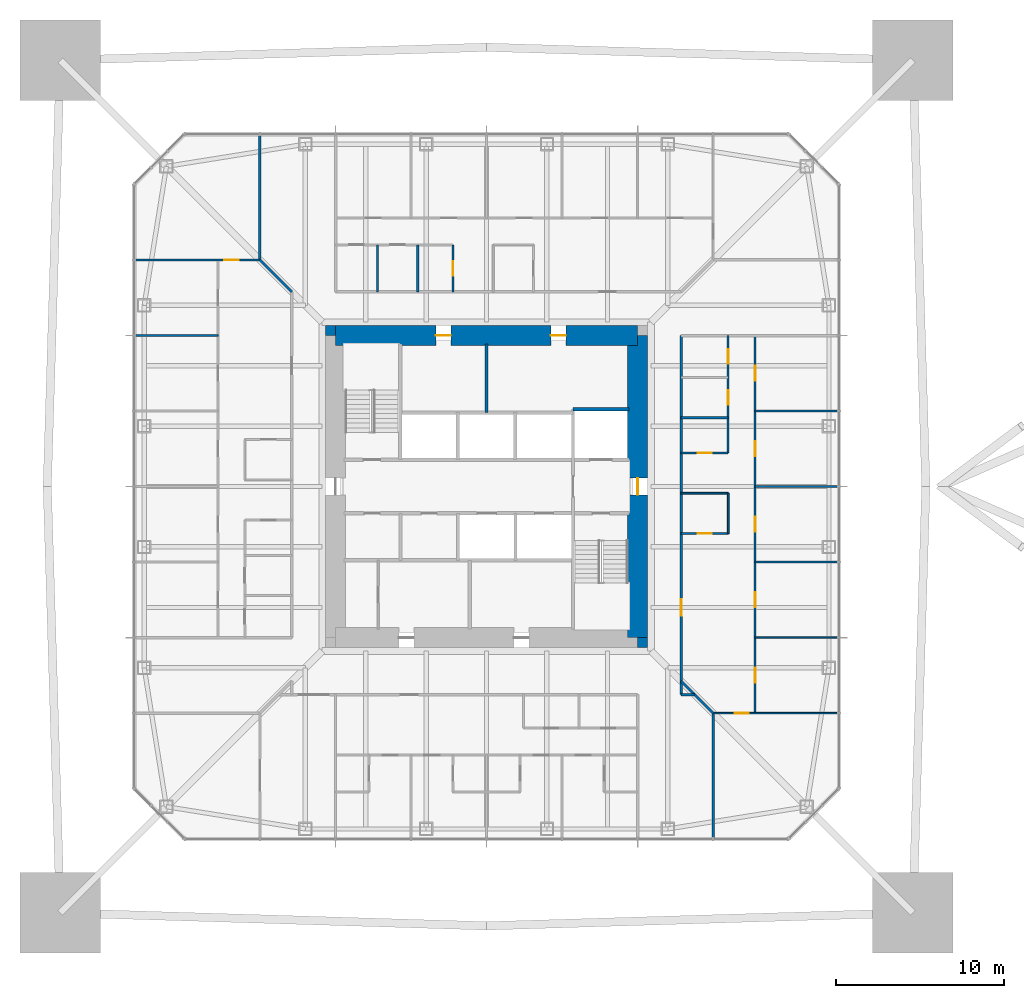
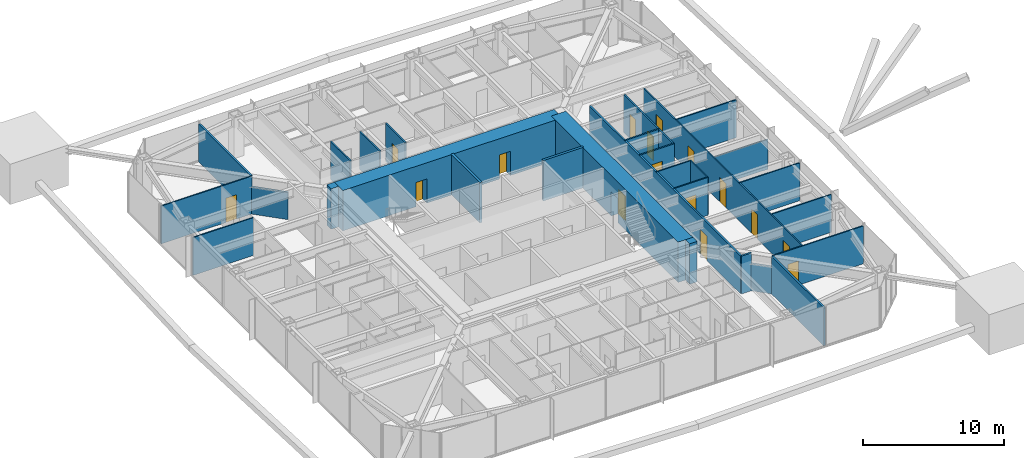
# One storey, part 17 of 27: 29 walls, 16 doors, 16 openings.
"""IFC4 building model written with IfcOpenShell, lengths in metres."""

import ifcopenshell
import ifcopenshell.guid

model = None  # the IFC model being written
_history = None  # IfcOwnerHistory: only IFC2X3 demands one
_inside = {}  # id of a spatial element -> (the spatial element, [elements in it])
_under = {}  # id of a project, library or spatial element -> (it, [spatial elements below it])
_declared = {}  # id of a project -> (the project, [libraries it declares])
_typed = {}  # id of a type object -> (the type object, [elements of that type])
_made_of = {}  # id of a material, layer set ... -> (it, [elements and type objects made of it])


def new_model(schema):
    """Start an empty IFC model of exactly this schema.

    Asked for "IFC4X3", IfcOpenShell would pick the latest addendum, in which some entities
    have other attributes; the version numbers below select the first issue.
    IFC2X3 requires an IfcOwnerHistory on every rooted entity: one is made here for all.
    """
    global model, _history
    if schema == "IFC4X3":
        model = ifcopenshell.file(schema_version=(4, 3, 0, 0))
    else:
        model = ifcopenshell.file(schema=schema)
    _inside.clear()
    _under.clear()
    _declared.clear()
    _typed.clear()
    _made_of.clear()
    _history = None
    if model.schema == "IFC2X3":
        org = make("IfcOrganization", Name="unknown")
        user = make(
            "IfcPersonAndOrganization",
            ThePerson=make("IfcPerson", FamilyName="unknown"),
            TheOrganization=org,
        )
        app = make(
            "IfcApplication",
            ApplicationDeveloper=org,
            Version="unknown",
            ApplicationFullName="unknown",
            ApplicationIdentifier="unknown",
        )
        _history = make(
            "IfcOwnerHistory",
            OwningUser=user,
            OwningApplication=app,
            ChangeAction="ADDED",
            CreationDate=0,
        )
    return model


def make(cls, **values):
    """One entity of the class cls with the attributes given. An attribute that is None is left unset."""
    return model.create_entity(
        cls, **{name: value for name, value in values.items() if value is not None}
    )


def rooted(cls, **values):
    """An entity with a GlobalId (a new one), such as an element, a storey or a relation."""
    return make(cls, GlobalId=ifcopenshell.guid.new(), OwnerHistory=_history, **values)


def si_unit(unit_type, name, prefix=None):
    """IfcSIUnit, for example si_unit("LENGTHUNIT", "METRE", prefix="MILLI")."""
    return make("IfcSIUnit", UnitType=unit_type, Prefix=prefix, Name=name)


def assignment(units):
    """IfcUnitAssignment: the units of a project."""
    return None if units is None else make("IfcUnitAssignment", Units=units)


def point(xyz):
    """IfcCartesianPoint."""
    return None if xyz is None else make("IfcCartesianPoint", Coordinates=xyz)


def direction(xyz):
    """IfcDirection."""
    return None if xyz is None else make("IfcDirection", DirectionRatios=xyz)


def frame(location, z_axis=None, x_axis=None):
    """IfcAxis2Placement3D, a coordinate frame: its origin and axes. An axis left out is left unset."""
    return make(
        "IfcAxis2Placement3D",
        Location=point(location),
        Axis=direction(z_axis),
        RefDirection=direction(x_axis),
    )


def frame_2d(location, x_axis=None):
    """IfcAxis2Placement2D, a coordinate frame in the plane: its origin and x axis."""
    return make(
        "IfcAxis2Placement2D", Location=point(location), RefDirection=direction(x_axis)
    )


def origin():
    """The frame at (0, 0, 0) with its axes left unset."""
    return frame((0.0, 0.0, 0.0))


def place(relative_to, where):
    """IfcLocalPlacement: puts the frame where relative to a parent placement (None: the world)."""
    return make(
        "IfcLocalPlacement", PlacementRelTo=relative_to, RelativePlacement=where
    )


def context(
    kind, dimensions, precision=None, world=None, true_north=None, identifier=None
):
    """IfcGeometricRepresentationContext, for example the 3D "Model" context."""
    return make(
        "IfcGeometricRepresentationContext",
        ContextIdentifier=identifier,
        ContextType=kind,
        CoordinateSpaceDimension=dimensions,
        Precision=precision,
        WorldCoordinateSystem=world,
        TrueNorth=true_north,
    )


def subcontext(parent, identifier, kind, view, scale=None):
    """IfcGeometricRepresentationSubContext, for example "Body" below "Model"."""
    return make(
        "IfcGeometricRepresentationSubContext",
        ContextIdentifier=identifier,
        ContextType=kind,
        ParentContext=parent,
        TargetScale=scale,
        TargetView=view,
    )


def project(units=None, contexts=None):
    """IfcProject with its units and contexts."""
    return rooted(
        "IfcProject",
        Name="project",
        RepresentationContexts=contexts,
        UnitsInContext=assignment(units),
    )


def spatial(cls, under=None, at=None, **own):
    """A site, building, storey or space (cls), placed at a placement, below another one or the project."""
    s = rooted(cls, ObjectPlacement=at, **own)
    if under is not None:
        _under.setdefault(under.id(), (under, []))[1].append(s)
    return s


def profile(cls, at=None, kind="AREA", **sizes):
    """A parametric profile (cls). Its sizes go by their IFC names, for example OverallWidth=200.0."""
    return make(cls, ProfileType=kind, Position=at, **sizes)


def rectangle(**sizes):
    """IfcRectangleProfileDef."""
    return profile("IfcRectangleProfileDef", **sizes)


def extrude(swept, where, along, depth):
    """IfcExtrudedAreaSolid: the profile swept, set in the frame where, extruded along a direction by depth."""
    return make(
        "IfcExtrudedAreaSolid",
        SweptArea=swept,
        Position=where,
        ExtrudedDirection=direction(along),
        Depth=depth,
    )


def shape(context_of_items, identifier, shape_type, items):
    """IfcShapeRepresentation: the items that make up one representation, for example the "Body"."""
    return make(
        "IfcShapeRepresentation",
        ContextOfItems=context_of_items,
        RepresentationIdentifier=identifier,
        RepresentationType=shape_type,
        Items=items,
    )


def material(Name=None, Category=None):
    """IfcMaterial."""
    return make("IfcMaterial", Name=Name, Category=Category)


def layer(
    of_material, thickness, ventilated=None, Name=None, Category=None, Priority=None
):
    """IfcMaterialLayer: one layer of a wall or slab, of a material (None: an air gap)."""
    return make(
        "IfcMaterialLayer",
        Material=of_material,
        LayerThickness=thickness,
        IsVentilated=ventilated,
        Name=Name,
        Category=Category,
        Priority=Priority,
    )


def layer_set(layers, Name=None):
    """IfcMaterialLayerSet."""
    return make("IfcMaterialLayerSet", MaterialLayers=layers, LayerSetName=Name)


def made_of(thing, what):
    """Note that an element or type object is made of a material, layer set ...; save() writes the relation."""
    if what is not None:
        _made_of.setdefault(what.id(), (what, []))[1].append(thing)
    return thing


def type_object(cls, material=None, **own):
    """A type object (cls), such as IfcWallType, which elements share."""
    return made_of(rooted(cls, **own), material)


def element(
    cls,
    number,
    at=None,
    inside=None,
    cuts=None,
    type_object=None,
    material=None,
    context=None,
    identifier="Body",
    shape_type=None,
    held_by="IfcProductDefinitionShape",
    body=None,
    shapes=None,
    **own,
):
    """One element of the class cls, such as IfcWall. Its Tag is "e" and its number.

    at: its placement. inside: the storey or other place that contains it. cuts: it is an
    opening in that element (IfcRelVoidsElement). A single representation is given by context,
    identifier, shape_type and body (its items); several are given by shapes. held_by: the class
    of the entity that holds the representations. save() writes the other relations.
    """
    e = rooted(cls, Tag="e%d" % number, ObjectPlacement=at, **own)
    if body is not None:
        shapes = [shape(context, identifier, shape_type, body)]
    if shapes is not None:
        e.Representation = make(held_by, Representations=shapes)
    if inside is not None:
        _inside.setdefault(inside.id(), (inside, []))[1].append(e)
    if cuts is not None:
        rooted(
            "IfcRelVoidsElement", RelatingBuildingElement=cuts, RelatedOpeningElement=e
        )
    if type_object is not None:
        _typed.setdefault(type_object.id(), (type_object, []))[1].append(e)
    return made_of(e, material)


def fill(opening, filler):
    """IfcRelFillsElement: the door or window that sits in an opening."""
    return rooted(
        "IfcRelFillsElement",
        RelatingOpeningElement=opening,
        RelatedBuildingElement=filler,
    )


def aggregate(whole, parts):
    """IfcRelAggregates: a whole, such as a stair, and the parts it consists of."""
    return rooted("IfcRelAggregates", RelatingObject=whole, RelatedObjects=parts)


def save(model, path):
    """Write the relations noted so far, then the file.

    IfcRelAggregates (storeys below a building ...), IfcRelContainedInSpatialStructure (elements
    in a storey), IfcRelDefinesByType, IfcRelAssociatesMaterial and IfcRelDeclares: one each for
    every whole, place, type object, material and project.
    """
    for whole, parts in _under.values():
        aggregate(whole, parts)
    for where, things in _inside.values():
        rooted(
            "IfcRelContainedInSpatialStructure",
            RelatedElements=things,
            RelatingStructure=where,
        )
    for kind, things in _typed.values():
        rooted("IfcRelDefinesByType", RelatedObjects=things, RelatingType=kind)
    for what, things in _made_of.values():
        rooted("IfcRelAssociatesMaterial", RelatedObjects=things, RelatingMaterial=what)
    for by, libraries in _declared.values():
        rooted("IfcRelDeclares", RelatingContext=by, RelatedDefinitions=libraries)
    model.write(path)


model = new_model("IFC4")

# Units and contexts
model_context = context("Model", 3, precision=1e-05, world=origin(), true_north=direction((0.0, 1.0)))
body_context = subcontext(model_context, "Body", "Model", "MODEL_VIEW")
ifc_project = project(units=[si_unit("LENGTHUNIT", "METRE"), si_unit("AREAUNIT", "SQUARE_METRE"), si_unit("VOLUMEUNIT", "CUBIC_METRE"), si_unit("PLANEANGLEUNIT", "RADIAN"), si_unit("MASSUNIT", "GRAM", prefix="KILO")], contexts=[model_context])

# Site, building, storey
site_placement = place(None, origin())
site = spatial("IfcSite", under=ifc_project, at=site_placement, CompositionType="ELEMENT")
building_placement = place(site_placement, origin())
building = spatial("IfcBuilding", under=site, at=building_placement, Name="Iwan Alto Co-Living Towers", CompositionType="ELEMENT")
storey_placement = place(building_placement, frame((0.0, 0.0, 91.0)))
storey = spatial("IfcBuildingStorey", under=building, at=storey_placement, Name="L24", CompositionType="ELEMENT", Elevation=91.0)

# Walls
ifc_material_1 = material(Name="Gypsum board")
ifc_layer_1 = layer(ifc_material_1, 0.02490234375, Name="Board", Category="Finish")
ifc_material_2 = material(Name="Steel ASTM A1003 ST33H cold-formed studs", Category="steel")
ifc_layer_2 = layer(ifc_material_2, 0.10009765625, Name="Studs", Category="Framing")
ifc_layer_3 = layer(ifc_material_1, 0.02490234375, Name="Board", Category="Finish")
ifc_layer_set_1 = layer_set([ifc_layer_1, ifc_layer_2, ifc_layer_3], Name="CORRIDOR WALL 150")
wall_type_1 = type_object("IfcWallType", Name="CORRIDOR WALL 150", PredefinedType="PARTITIONING", material=ifc_layer_set_1)
wall_1_placement = place(storey_placement, frame((11.60009765625, -12.39990234375, 0.0), z_axis=(0.0, 0.0, 1.0), x_axis=(1.0, 0.0, 0.0)))
element("IfcWall", 1, at=wall_1_placement, inside=storey, type_object=wall_type_1, Name="Partition L24", PredefinedType="PARTITIONING", context=body_context, shape_type="SweptSolid", body=[
    extrude(rectangle(XDim=0.7998046875, YDim=0.14990234375, at=frame_2d((0.39990234375, 0.0))), origin(), (0.0, 0.0, 1.0), 3.27001953125),
])
wall_2_placement = place(storey_placement, frame((13.5, -20.93994140625, 0.0), z_axis=(0.0, 0.0, 1.0), x_axis=(0.0, 1.0, 0.0)))
element("IfcWall", 2, at=wall_2_placement, inside=storey, type_object=wall_type_1, Name="Partition L24", PredefinedType="PARTITIONING", context=body_context, shape_type="SweptSolid", body=[
    extrude(rectangle(XDim=7.43994140625, YDim=0.14990234375, at=frame_2d((3.719970703125, 0.0))), origin(), (0.0, 0.0, 1.0), 3.27001953125),
])

# Wall, opening, door
wall_3_placement = place(storey_placement, frame((11.60009765625, -12.39990234375, 0.0), z_axis=(0.0, 0.0, 1.0), x_axis=(0.0, 1.0, 0.0)))
wall_3 = element("IfcWall", 3, at=wall_3_placement, inside=storey, type_object=wall_type_1, Name="Partition L24", PredefinedType="PARTITIONING", context=body_context, shape_type="SweptSolid", body=[
    extrude(rectangle(XDim=21.39990234375, YDim=0.14990234375, at=frame_2d((10.699951171875, 0.0))), origin(), (0.0, 0.0, 1.0), 3.27001953125),
])
opening_1_placement = place(wall_3_placement, frame((4.699951171875, 0.0, 0.0)))
opening_1 = element("IfcOpeningElement", 4, at=opening_1_placement, cuts=wall_3, Name="Opening D3", PredefinedType="OPENING", context=body_context, shape_type="SweptSolid", body=[
    extrude(rectangle(XDim=1.0, YDim=2.10009765625, at=frame_2d((0.5, 1.050048828125))), frame((0.0, 0.0849609375, 0.0), z_axis=(0.0, -1.0, 0.0), x_axis=(1.0, 0.0, 0.0)), (0.0, 0.0, 1.0), 0.169921875),
])
ifc_material_3 = material(Name="Steel frame with timber leaf", Category="steel")
door_type_1 = type_object("IfcDoorType", Name="FLAT ENTRANCE DOOR FD30S 1000X2100", OperationType="SINGLE_SWING_LEFT", PredefinedType="DOOR", material=ifc_material_3)
door_1_placement = place(opening_1_placement, frame((1.0, 0.0, 0.0), z_axis=(0.0, 0.0, 1.0), x_axis=(-1.0, 0.0, 0.0)))
door_1 = element("IfcDoor", 5, at=door_1_placement, inside=storey, type_object=door_type_1, Name="Cluster lounge door L24", OperationType="SINGLE_SWING_LEFT", OverallHeight=2.10009765625, OverallWidth=1.0, PredefinedType="DOOR", context=body_context, shape_type="SweptSolid", body=[
    extrude(rectangle(XDim=1.0, YDim=2.10009765625, at=frame_2d((0.5, 1.050048828125))), frame((0.0, 0.02490234375, 0.0), z_axis=(0.0, -1.0, 0.0), x_axis=(1.0, 0.0, 0.0)), (0.0, 0.0, 1.0), 0.050048828125),
])
fill(opening_1, door_1)

# Walls
wall_4_placement = place(storey_placement, frame((-13.5, 13.5, 0.0), z_axis=(0.0, 0.0, 1.0), x_axis=(0.0, 1.0, 0.0)))
element("IfcWall", 6, at=wall_4_placement, inside=storey, type_object=wall_type_1, Name="Partition L24", PredefinedType="PARTITIONING", context=body_context, shape_type="SweptSolid", body=[
    extrude(rectangle(XDim=7.43994140625, YDim=0.14990234375, at=frame_2d((3.719970703125, 0.0))), origin(), (0.0, 0.0, 1.0), 3.27001953125),
])
for number, where, z_axis, x_axis, name in (
    (7, (13.5, -13.5, 0.0), (0.0, 0.0, 1.0), (-0.707106781187, 0.707106781187, 0.0), "Partition L24"),
    (8, (-11.60009765625, 11.60009765625, 0.0), (0.0, 0.0, 1.0), (-0.707106781187, 0.707106781187, 0.0), "Partition L24"),
):
    element("IfcWall", number, at=place(storey_placement, frame(where, z_axis=z_axis, x_axis=x_axis)), inside=storey, type_object=wall_type_1, Name=name, PredefinedType="PARTITIONING", context=body_context, shape_type="SweptSolid", body=[
        extrude(rectangle(XDim=2.686767578125, YDim=0.14990234375, at=frame_2d((1.34326171875, 0.0))), origin(), (0.0, 0.0, 1.0), 2.343017578125),
    ])

# Wall, opening, door
ifc_layer_4 = layer(ifc_material_1, 0.012451171875, Name="Board", Category="Finish")
ifc_layer_5 = layer(ifc_material_2, 0.074951171875, Name="Studs", Category="Framing")
ifc_layer_6 = layer(ifc_material_1, 0.012451171875, Name="Board", Category="Finish")
ifc_layer_set_2 = layer_set([ifc_layer_4, ifc_layer_5, ifc_layer_6], Name="PARTITION 100")
wall_type_2 = type_object("IfcWallType", Name="PARTITION 100", PredefinedType="PARTITIONING", material=ifc_layer_set_2)
wall_5_placement = place(storey_placement, frame((13.5, -13.5, 0.0), z_axis=(0.0, 0.0, 1.0), x_axis=(1.0, 0.0, 0.0)))
wall_5 = element("IfcWall", 9, at=wall_5_placement, inside=storey, type_object=wall_type_2, Name="Partition L24", PredefinedType="PARTITIONING", context=body_context, shape_type="SweptSolid", body=[
    extrude(rectangle(XDim=7.43994140625, YDim=0.10009765625, at=frame_2d((3.719970703125, 0.0))), origin(), (0.0, 0.0, 1.0), 3.27001953125),
])
opening_2_placement = place(wall_5_placement, frame((1.27490234375, 0.0, 0.0)))
opening_2 = element("IfcOpeningElement", 10, at=opening_2_placement, cuts=wall_5, Name="Opening D2", PredefinedType="OPENING", context=body_context, shape_type="SweptSolid", body=[
    extrude(rectangle(XDim=0.85009765625, YDim=2.10009765625, at=frame_2d((0.425048828125, 1.050048828125))), frame((0.0, 0.06005859375, 0.0), z_axis=(0.0, -1.0, 0.0), x_axis=(1.0, 0.0, 0.0)), (0.0, 0.0, 1.0), 0.1201171875),
])
ifc_material_4 = material(Name="Timber leaf in steel frame", Category="steel")
door_type_2 = type_object("IfcDoorType", Name="ROOM DOOR 850X2100", OperationType="SINGLE_SWING_LEFT", PredefinedType="DOOR", material=ifc_material_4)
door_2_placement = place(opening_2_placement, origin())
door_2 = element("IfcDoor", 11, at=door_2_placement, inside=storey, type_object=door_type_2, Name="Shared kitchen and lounge door L24", OperationType="SINGLE_SWING_RIGHT", OverallHeight=2.10009765625, OverallWidth=0.85009765625, PredefinedType="DOOR", context=body_context, shape_type="SweptSolid", body=[
    extrude(rectangle(XDim=0.85009765625, YDim=2.10009765625, at=frame_2d((0.425048828125, 1.050048828125))), frame((0.0, 0.02490234375, 0.0), z_axis=(0.0, -1.0, 0.0), x_axis=(1.0, 0.0, 0.0)), (0.0, 0.0, 1.0), 0.050048828125),
])
fill(opening_2, door_2)

# Walls
for number, where, z_axis, x_axis, name in (
    (12, (16.0, -9.0, 0.0), (0.0, 0.0, 1.0), (1.0, 0.0, 0.0), "Partition L24"),
    (13, (16.0, -4.5, 0.0), (0.0, 0.0, 1.0), (1.0, 0.0, 0.0), "Partition L24"),
):
    element("IfcWall", number, at=place(storey_placement, frame(where, z_axis=z_axis, x_axis=x_axis)), inside=storey, type_object=wall_type_2, Name=name, PredefinedType="PARTITIONING", context=body_context, shape_type="SweptSolid", body=[
        extrude(rectangle(XDim=4.93994140625, YDim=0.10009765625, at=frame_2d((2.469970703125, 0.0))), origin(), (0.0, 0.0, 1.0), 3.27001953125),
    ])

# Wall, opening, door
wall_6_placement = place(storey_placement, frame((11.60009765625, -2.800048828125, 0.0), z_axis=(0.0, 0.0, 1.0), x_axis=(1.0, 0.0, 0.0)))
wall_6 = element("IfcWall", 14, at=wall_6_placement, inside=storey, type_object=wall_type_2, Name="Partition L24", PredefinedType="PARTITIONING", context=body_context, shape_type="SweptSolid", body=[
    extrude(rectangle(XDim=2.7998046875, YDim=0.10009765625, at=frame_2d((1.39990234375, 0.0))), origin(), (0.0, 0.0, 1.0), 3.27001953125),
])
opening_3_placement = place(wall_6_placement, frame((0.97509765625, 0.0, 0.0)))
opening_3 = element("IfcOpeningElement", 15, at=opening_3_placement, cuts=wall_6, Name="Opening D2", PredefinedType="OPENING", context=body_context, shape_type="SweptSolid", body=[
    extrude(rectangle(XDim=0.85009765625, YDim=2.10009765625, at=frame_2d((0.425048828125, 1.050048828125))), frame((0.0, 0.06005859375, 0.0), z_axis=(0.0, -1.0, 0.0), x_axis=(1.0, 0.0, 0.0)), (0.0, 0.0, 1.0), 0.1201171875),
])
door_3_placement = place(opening_3_placement, frame((0.85009765625, 0.0, 0.0), z_axis=(0.0, 0.0, 1.0), x_axis=(-1.0, 0.0, 0.0)))
door_3 = element("IfcDoor", 16, at=door_3_placement, inside=storey, type_object=door_type_2, Name="Store room door L24", OperationType="SINGLE_SWING_RIGHT", OverallHeight=2.10009765625, OverallWidth=0.85009765625, PredefinedType="DOOR", context=body_context, shape_type="SweptSolid", body=[
    extrude(rectangle(XDim=0.85009765625, YDim=2.10009765625, at=frame_2d((0.425048828125, 1.050048828125))), frame((0.0, 0.02490234375, 0.0), z_axis=(0.0, -1.0, 0.0), x_axis=(1.0, 0.0, 0.0)), (0.0, 0.0, 1.0), 0.050048828125),
])
fill(opening_3, door_3)

# Walls
wall_7_placement = place(storey_placement, frame((11.60009765625, -0.39990234375, 0.0), z_axis=(0.0, 0.0, 1.0), x_axis=(1.0, 0.0, 0.0)))
element("IfcWall", 17, at=wall_7_placement, inside=storey, type_object=wall_type_2, Name="Partition L24", PredefinedType="PARTITIONING", context=body_context, shape_type="SweptSolid", body=[
    extrude(rectangle(XDim=2.7998046875, YDim=0.10009765625, at=frame_2d((1.39990234375, 0.0))), origin(), (0.0, 0.0, 1.0), 3.27001953125),
])
wall_8_placement = place(storey_placement, frame((16.0, 0.0, 0.0), z_axis=(0.0, 0.0, 1.0), x_axis=(1.0, 0.0, 0.0)))
element("IfcWall", 18, at=wall_8_placement, inside=storey, type_object=wall_type_2, Name="Partition L24", PredefinedType="PARTITIONING", context=body_context, shape_type="SweptSolid", body=[
    extrude(rectangle(XDim=4.93994140625, YDim=0.10009765625, at=frame_2d((2.469970703125, 0.0))), origin(), (0.0, 0.0, 1.0), 2.586669921875),
])
for number, where, z_axis, x_axis, name in (
    (19, (16.0, 4.5, 0.0), (0.0, 0.0, 1.0), (1.0, 0.0, 0.0), "Partition L24"),
    (20, (-20.93994140625, 9.0, 0.0), (0.0, 0.0, 1.0), (1.0, 0.0, 0.0), "Partition L24"),
):
    element("IfcWall", number, at=place(storey_placement, frame(where, z_axis=z_axis, x_axis=x_axis)), inside=storey, type_object=wall_type_2, Name=name, PredefinedType="PARTITIONING", context=body_context, shape_type="SweptSolid", body=[
        extrude(rectangle(XDim=4.93994140625, YDim=0.10009765625, at=frame_2d((2.469970703125, 0.0))), origin(), (0.0, 0.0, 1.0), 3.27001953125),
    ])

# Wall, opening, door
wall_9_placement = place(storey_placement, frame((-20.93994140625, 13.5, 0.0), z_axis=(0.0, 0.0, 1.0), x_axis=(1.0, 0.0, 0.0)))
wall_9 = element("IfcWall", 21, at=wall_9_placement, inside=storey, type_object=wall_type_2, Name="Partition L24", PredefinedType="PARTITIONING", context=body_context, shape_type="SweptSolid", body=[
    extrude(rectangle(XDim=7.43994140625, YDim=0.10009765625, at=frame_2d((3.719970703125, 0.0))), origin(), (0.0, 0.0, 1.0), 3.27001953125),
])
opening_4_placement = place(wall_9_placement, frame((5.31494140625, 0.0, 0.0)))
opening_4 = element("IfcOpeningElement", 22, at=opening_4_placement, cuts=wall_9, Name="Opening D2", PredefinedType="OPENING", context=body_context, shape_type="SweptSolid", body=[
    extrude(rectangle(XDim=0.85009765625, YDim=2.10009765625, at=frame_2d((0.425048828125, 1.050048828125))), frame((0.0, 0.06005859375, 0.0), z_axis=(0.0, -1.0, 0.0), x_axis=(1.0, 0.0, 0.0)), (0.0, 0.0, 1.0), 0.1201171875),
])
door_4_placement = place(opening_4_placement, frame((0.85009765625, 0.0, 0.0), z_axis=(0.0, 0.0, 1.0), x_axis=(-1.0, 0.0, 0.0)))
door_4 = element("IfcDoor", 23, at=door_4_placement, inside=storey, type_object=door_type_2, Name="Shared kitchen and lounge door L24", OperationType="SINGLE_SWING_RIGHT", OverallHeight=2.10009765625, OverallWidth=0.85009765625, PredefinedType="DOOR", context=body_context, shape_type="SweptSolid", body=[
    extrude(rectangle(XDim=0.85009765625, YDim=2.10009765625, at=frame_2d((0.425048828125, 1.050048828125))), frame((0.0, 0.02490234375, 0.0), z_axis=(0.0, -1.0, 0.0), x_axis=(1.0, 0.0, 0.0)), (0.0, 0.0, 1.0), 0.050048828125),
])
fill(opening_4, door_4)

# Wall, openings, doors
wall_10_placement = place(storey_placement, frame((16.0, -13.5, 0.0), z_axis=(0.0, 0.0, 1.0), x_axis=(0.0, 1.0, 0.0)))
wall_10 = element("IfcWall", 24, at=wall_10_placement, inside=storey, type_object=wall_type_2, Name="Partition L24", PredefinedType="PARTITIONING", context=body_context, shape_type="SweptSolid", body=[
    extrude(rectangle(XDim=22.5, YDim=0.10009765625, at=frame_2d((11.25, 0.0))), origin(), (0.0, 0.0, 1.0), 3.27001953125),
])
opening_5_placement = place(wall_10_placement, frame((1.800048828125, 0.0, 0.0)))
opening_5 = element("IfcOpeningElement", 25, at=opening_5_placement, cuts=wall_10, Name="Opening D1", PredefinedType="OPENING", context=body_context, shape_type="SweptSolid", body=[
    extrude(rectangle(XDim=0.89990234375, YDim=2.10009765625, at=frame_2d((0.449951171875, 1.050048828125))), frame((0.0, 0.06005859375, 0.0), z_axis=(0.0, -1.0, 0.0), x_axis=(1.0, 0.0, 0.0)), (0.0, 0.0, 1.0), 0.1201171875),
])
opening_6_placement = place(wall_10_placement, frame((6.300048828125, 0.0, 0.0)))
opening_6 = element("IfcOpeningElement", 26, at=opening_6_placement, cuts=wall_10, Name="Opening D1", PredefinedType="OPENING", context=body_context, shape_type="SweptSolid", body=[
    extrude(rectangle(XDim=0.89990234375, YDim=2.10009765625, at=frame_2d((0.449951171875, 1.050048828125))), frame((0.0, 0.06005859375, 0.0), z_axis=(0.0, -1.0, 0.0), x_axis=(1.0, 0.0, 0.0)), (0.0, 0.0, 1.0), 0.1201171875),
])
opening_7_placement = place(wall_10_placement, frame((10.800048828125, 0.0, 0.0)))
opening_7 = element("IfcOpeningElement", 27, at=opening_7_placement, cuts=wall_10, Name="Opening D1", PredefinedType="OPENING", context=body_context, shape_type="SweptSolid", body=[
    extrude(rectangle(XDim=0.89990234375, YDim=2.10009765625, at=frame_2d((0.449951171875, 1.050048828125))), frame((0.0, 0.06005859375, 0.0), z_axis=(0.0, -1.0, 0.0), x_axis=(1.0, 0.0, 0.0)), (0.0, 0.0, 1.0), 0.1201171875),
])
opening_8_placement = place(wall_10_placement, frame((15.300048828125, 0.0, 0.0)))
opening_8 = element("IfcOpeningElement", 28, at=opening_8_placement, cuts=wall_10, Name="Opening D1", PredefinedType="OPENING", context=body_context, shape_type="SweptSolid", body=[
    extrude(rectangle(XDim=0.89990234375, YDim=2.10009765625, at=frame_2d((0.449951171875, 1.050048828125))), frame((0.0, 0.06005859375, 0.0), z_axis=(0.0, -1.0, 0.0), x_axis=(1.0, 0.0, 0.0)), (0.0, 0.0, 1.0), 0.1201171875),
])
opening_9_placement = place(wall_10_placement, frame((19.800048828125, 0.0, 0.0)))
opening_9 = element("IfcOpeningElement", 29, at=opening_9_placement, cuts=wall_10, Name="Opening D1", PredefinedType="OPENING", context=body_context, shape_type="SweptSolid", body=[
    extrude(rectangle(XDim=0.89990234375, YDim=2.10009765625, at=frame_2d((0.449951171875, 1.050048828125))), frame((0.0, 0.06005859375, 0.0), z_axis=(0.0, -1.0, 0.0), x_axis=(1.0, 0.0, 0.0)), (0.0, 0.0, 1.0), 0.1201171875),
])
ifc_material_5 = material(Name="Timber leaf in steel frame", Category="steel")
door_type_3 = type_object("IfcDoorType", Name="BEDROOM DOOR 900X2100", OperationType="SINGLE_SWING_LEFT", PredefinedType="DOOR", material=ifc_material_5)
door_5_placement = place(opening_5_placement, origin())
door_5 = element("IfcDoor", 30, at=door_5_placement, inside=storey, type_object=door_type_3, Name="Study bedroom door L24", OperationType="SINGLE_SWING_LEFT", OverallHeight=2.10009765625, OverallWidth=0.89990234375, PredefinedType="DOOR", context=body_context, shape_type="SweptSolid", body=[
    extrude(rectangle(XDim=0.89990234375, YDim=2.10009765625, at=frame_2d((0.449951171875, 1.050048828125))), frame((0.0, 0.02490234375, 0.0), z_axis=(0.0, -1.0, 0.0), x_axis=(1.0, 0.0, 0.0)), (0.0, 0.0, 1.0), 0.050048828125),
])
fill(opening_5, door_5)
door_6_placement = place(opening_6_placement, origin())
door_6 = element("IfcDoor", 31, at=door_6_placement, inside=storey, type_object=door_type_3, Name="Study bedroom door L24", OperationType="SINGLE_SWING_LEFT", OverallHeight=2.10009765625, OverallWidth=0.89990234375, PredefinedType="DOOR", context=body_context, shape_type="SweptSolid", body=[
    extrude(rectangle(XDim=0.89990234375, YDim=2.10009765625, at=frame_2d((0.449951171875, 1.050048828125))), frame((0.0, 0.02490234375, 0.0), z_axis=(0.0, -1.0, 0.0), x_axis=(1.0, 0.0, 0.0)), (0.0, 0.0, 1.0), 0.050048828125),
])
fill(opening_6, door_6)
door_7_placement = place(opening_7_placement, origin())
door_7 = element("IfcDoor", 32, at=door_7_placement, inside=storey, type_object=door_type_3, Name="Study bedroom door L24", OperationType="SINGLE_SWING_LEFT", OverallHeight=2.10009765625, OverallWidth=0.89990234375, PredefinedType="DOOR", context=body_context, shape_type="SweptSolid", body=[
    extrude(rectangle(XDim=0.89990234375, YDim=2.10009765625, at=frame_2d((0.449951171875, 1.050048828125))), frame((0.0, 0.02490234375, 0.0), z_axis=(0.0, -1.0, 0.0), x_axis=(1.0, 0.0, 0.0)), (0.0, 0.0, 1.0), 0.050048828125),
])
fill(opening_7, door_7)
door_8_placement = place(opening_8_placement, origin())
door_8 = element("IfcDoor", 33, at=door_8_placement, inside=storey, type_object=door_type_3, Name="Study bedroom door L24", OperationType="SINGLE_SWING_RIGHT", OverallHeight=2.10009765625, OverallWidth=0.89990234375, PredefinedType="DOOR", context=body_context, shape_type="SweptSolid", body=[
    extrude(rectangle(XDim=0.89990234375, YDim=2.10009765625, at=frame_2d((0.449951171875, 1.050048828125))), frame((0.0, 0.02490234375, 0.0), z_axis=(0.0, -1.0, 0.0), x_axis=(1.0, 0.0, 0.0)), (0.0, 0.0, 1.0), 0.050048828125),
])
fill(opening_8, door_8)
door_9_placement = place(opening_9_placement, origin())
door_9 = element("IfcDoor", 34, at=door_9_placement, inside=storey, type_object=door_type_3, Name="Study bedroom door L24", OperationType="SINGLE_SWING_RIGHT", OverallHeight=2.10009765625, OverallWidth=0.89990234375, PredefinedType="DOOR", context=body_context, shape_type="SweptSolid", body=[
    extrude(rectangle(XDim=0.89990234375, YDim=2.10009765625, at=frame_2d((0.449951171875, 1.050048828125))), frame((0.0, 0.02490234375, 0.0), z_axis=(0.0, -1.0, 0.0), x_axis=(1.0, 0.0, 0.0)), (0.0, 0.0, 1.0), 0.050048828125),
])
fill(opening_9, door_9)

# Walls
wall_11_placement = place(storey_placement, frame((14.39990234375, -2.800048828125, 0.0), z_axis=(0.0, 0.0, 1.0), x_axis=(0.0, 1.0, 0.0)))
element("IfcWall", 35, at=wall_11_placement, inside=storey, type_object=wall_type_2, Name="Partition L24", PredefinedType="PARTITIONING", context=body_context, shape_type="SweptSolid", body=[
    extrude(rectangle(XDim=2.400146484375, YDim=0.10009765625, at=frame_2d((1.2001953125, 0.0))), origin(), (0.0, 0.0, 1.0), 3.27001953125),
])
ifc_material_6 = material(Name="Concrete f'c 70 MPa", Category="concrete")
ifc_layer_7 = layer(ifc_material_6, 0.199951171875)
ifc_layer_set_3 = layer_set([ifc_layer_7], Name="SHAFT WALL 200")
wall_type_3 = type_object("IfcWallType", Name="SHAFT WALL 200", PredefinedType="SOLIDWALL", material=ifc_layer_set_3)
wall_12_placement = place(storey_placement, frame((5.14990234375, 4.60009765625, 0.0), z_axis=(0.0, 0.0, 1.0), x_axis=(1.0, 0.0, 0.0)))
element("IfcWall", 36, at=wall_12_placement, inside=storey, type_object=wall_type_3, Name="Shaft wall L24", PredefinedType="SOLIDWALL", context=body_context, shape_type="SweptSolid", body=[
    extrude(rectangle(XDim=3.340087890625, YDim=0.199951171875, at=frame_2d((1.669921875, 0.0))), origin(), (0.0, 0.0, 1.0), 3.5),
])
wall_13_placement = place(storey_placement, frame((0.0, 4.39990234375, 0.0), z_axis=(0.0, 0.0, 1.0), x_axis=(0.0, 1.0, 0.0)))
element("IfcWall", 37, at=wall_13_placement, inside=storey, type_object=wall_type_3, Name="Shaft wall L24", PredefinedType="SOLIDWALL", context=body_context, shape_type="SweptSolid", body=[
    extrude(rectangle(XDim=4.090087890625, YDim=0.199951171875, at=frame_2d((2.044921875, 0.0))), origin(), (0.0, 0.0, 1.0), 3.5),
])
ifc_material_7 = material(Name="Concrete f'c 70 MPa", Category="concrete")
ifc_layer_8 = layer(ifc_material_7, 0.60009765625)
ifc_layer_set_4 = layer_set([ifc_layer_8], Name="T1 CORE CORNER FILL 600")
wall_type_4 = type_object("IfcWallType", Name="T1 CORE CORNER FILL 600", PredefinedType="SOLIDWALL", material=ifc_layer_set_4)
for number, where, z_axis, x_axis, name in (
    (38, (9.0, -9.300048828125, 0.0), (0.0, 0.0, 1.0), (1.0, 0.0, 0.0), "T1 core corner SE L24"),
    (39, (-9.60009765625, 9.300048828125, 0.0), (0.0, 0.0, 1.0), (1.0, 0.0, 0.0), "T1 core corner NW L24"),
):
    element("IfcWall", number, at=place(storey_placement, frame(where, z_axis=z_axis, x_axis=x_axis)), inside=storey, type_object=wall_type_4, Name=name, PredefinedType="SOLIDWALL", context=body_context, shape_type="SweptSolid", body=[
        extrude(rectangle(XDim=0.60009765625, YDim=0.60009765625, at=frame_2d((0.300048828125, 0.0))), origin(), (0.0, 0.0, 1.0), 3.5),
    ])

# Wall, openings, doors
ifc_material_8 = material(Name="Concrete f'c 70 MPa", Category="concrete")
ifc_layer_9 = layer(ifc_material_8, 1.199951171875)
ifc_layer_set_5 = layer_set([ifc_layer_9], Name="T1 CORE WALL 1200")
wall_type_5 = type_object("IfcWallType", Name="T1 CORE WALL 1200", PredefinedType="SHEAR", material=ifc_layer_set_5)
wall_14_placement = place(storey_placement, frame((9.0, 9.0, 0.0), z_axis=(0.0, 0.0, 1.0), x_axis=(-1.0, 0.0, 0.0)))
wall_14 = element("IfcWall", 40, at=wall_14_placement, inside=storey, type_object=wall_type_5, Name="T1 core wall N L24", PredefinedType="SHEAR", context=body_context, shape_type="SweptSolid", body=[
    extrude(rectangle(XDim=18.0, YDim=1.199951171875, at=frame_2d((9.0, 0.0))), origin(), (0.0, 0.0, 1.0), 3.5),
])
opening_10_placement = place(wall_14_placement, frame((11.125, 0.0, 0.0)))
opening_10 = element("IfcOpeningElement", 41, at=opening_10_placement, cuts=wall_14, Name="Opening D8", PredefinedType="OPENING", context=body_context, shape_type="SweptSolid", body=[
    extrude(rectangle(XDim=0.89990234375, YDim=2.10009765625, at=frame_2d((0.449951171875, 1.050048828125))), frame((0.0, 0.60986328125, 0.0), z_axis=(0.0, -1.0, 0.0), x_axis=(1.0, 0.0, 0.0)), (0.0, 0.0, 1.0), 1.219970703125),
])
opening_11_placement = place(wall_14_placement, frame((4.27490234375, 0.0, 0.0)))
opening_11 = element("IfcOpeningElement", 42, at=opening_11_placement, cuts=wall_14, Name="Opening D8", PredefinedType="OPENING", context=body_context, shape_type="SweptSolid", body=[
    extrude(rectangle(XDim=0.89990234375, YDim=2.10009765625, at=frame_2d((0.449951171875, 1.050048828125))), frame((0.0, 0.60986328125, 0.0), z_axis=(0.0, -1.0, 0.0), x_axis=(1.0, 0.0, 0.0)), (0.0, 0.0, 1.0), 1.219970703125),
])
ifc_material_9 = material(Name="Steel frame with timber leaf", Category="steel")
door_type_4 = type_object("IfcDoorType", Name="RISER DOOR FD120 900X2100", OperationType="SINGLE_SWING_LEFT", PredefinedType="DOOR", material=ifc_material_9)
door_10_placement = place(opening_10_placement, origin())
door_10 = element("IfcDoor", 43, at=door_10_placement, inside=storey, type_object=door_type_4, Name="Electrical riser core door L24", OperationType="SINGLE_SWING_RIGHT", OverallHeight=2.10009765625, OverallWidth=0.89990234375, PredefinedType="DOOR", context=body_context, shape_type="SweptSolid", body=[
    extrude(rectangle(XDim=0.89990234375, YDim=2.10009765625, at=frame_2d((0.449951171875, 1.050048828125))), frame((0.0, 0.02490234375, 0.0), z_axis=(0.0, -1.0, 0.0), x_axis=(1.0, 0.0, 0.0)), (0.0, 0.0, 1.0), 0.050048828125),
])
fill(opening_10, door_10)
door_11_placement = place(opening_11_placement, origin())
door_11 = element("IfcDoor", 44, at=door_11_placement, inside=storey, type_object=door_type_4, Name="Water and drainage riser core door L24", OperationType="SINGLE_SWING_RIGHT", OverallHeight=2.10009765625, OverallWidth=0.89990234375, PredefinedType="DOOR", context=body_context, shape_type="SweptSolid", body=[
    extrude(rectangle(XDim=0.89990234375, YDim=2.10009765625, at=frame_2d((0.449951171875, 1.050048828125))), frame((0.0, 0.02490234375, 0.0), z_axis=(0.0, -1.0, 0.0), x_axis=(1.0, 0.0, 0.0)), (0.0, 0.0, 1.0), 0.050048828125),
])
fill(opening_11, door_11)

# Wall, opening, door
wall_15_placement = place(storey_placement, frame((9.0, -9.0, 0.0), z_axis=(0.0, 0.0, 1.0), x_axis=(0.0, 1.0, 0.0)))
wall_15 = element("IfcWall", 45, at=wall_15_placement, inside=storey, type_object=wall_type_5, Name="T1 core wall E L24", PredefinedType="SHEAR", context=body_context, shape_type="SweptSolid", body=[
    extrude(rectangle(XDim=18.0, YDim=1.199951171875, at=frame_2d((9.0, 0.0))), origin(), (0.0, 0.0, 1.0), 3.5),
])
opening_12_placement = place(wall_15_placement, frame((8.5, 0.0, 0.0)))
opening_12 = element("IfcOpeningElement", 46, at=opening_12_placement, cuts=wall_15, Name="Opening D7", PredefinedType="OPENING", context=body_context, shape_type="SweptSolid", body=[
    extrude(rectangle(XDim=1.0, YDim=2.10009765625, at=frame_2d((0.5, 1.050048828125))), frame((0.0, 0.60986328125, 0.0), z_axis=(0.0, -1.0, 0.0), x_axis=(1.0, 0.0, 0.0)), (0.0, 0.0, 1.0), 1.219970703125),
])
ifc_material_10 = material(Name="Steel frame with timber leaf", Category="steel")
door_type_5 = type_object("IfcDoorType", Name="CORE DOOR FD120S 1000X2100", OperationType="SINGLE_SWING_LEFT", PredefinedType="DOOR", material=ifc_material_10)
door_12_placement = place(opening_12_placement, origin())
door_12 = element("IfcDoor", 47, at=door_12_placement, inside=storey, type_object=door_type_5, Name="Firefighting lobby core door L24", OperationType="SINGLE_SWING_LEFT", OverallHeight=2.10009765625, OverallWidth=1.0, PredefinedType="DOOR", context=body_context, shape_type="SweptSolid", body=[
    extrude(rectangle(XDim=1.0, YDim=2.10009765625, at=frame_2d((0.5, 1.050048828125))), frame((0.0, 0.02490234375, 0.0), z_axis=(0.0, -1.0, 0.0), x_axis=(1.0, 0.0, 0.0)), (0.0, 0.0, 1.0), 0.050048828125),
])
fill(opening_12, door_12)

ifc_material_11 = material(Name="Cement board")
ifc_layer_10 = layer(ifc_material_11, 0.012451171875, Name="Board", Category="Finish")
ifc_layer_11 = layer(ifc_material_2, 0.094970703125, Name="Studs", Category="Framing")
ifc_layer_12 = layer(ifc_material_11, 0.012451171875, Name="Board", Category="Finish")
ifc_layer_set_6 = layer_set([ifc_layer_10, ifc_layer_11, ifc_layer_12], Name="WET AREA PARTITION 120")
wall_type_6 = type_object("IfcWallType", Name="WET AREA PARTITION 120", PredefinedType="PARTITIONING", material=ifc_layer_set_6)
wall_16_placement = place(storey_placement, frame((11.60009765625, 2.0, 0.0), z_axis=(0.0, 0.0, 1.0), x_axis=(1.0, 0.0, 0.0)))
wall_16 = element("IfcWall", 48, at=wall_16_placement, inside=storey, type_object=wall_type_6, Name="Partition L24", PredefinedType="PARTITIONING", context=body_context, shape_type="SweptSolid", body=[
    extrude(rectangle(XDim=2.7998046875, YDim=0.1201171875, at=frame_2d((1.39990234375, 0.0))), origin(), (0.0, 0.0, 1.0), 3.27001953125),
])
opening_13_placement = place(wall_16_placement, frame((0.97509765625, 0.0, 0.0)))
opening_13 = element("IfcOpeningElement", 49, at=opening_13_placement, cuts=wall_16, Name="Opening D2", PredefinedType="OPENING", context=body_context, shape_type="SweptSolid", body=[
    extrude(rectangle(XDim=0.85009765625, YDim=2.10009765625, at=frame_2d((0.425048828125, 1.050048828125))), frame((0.0, 0.070068359375, 0.0), z_axis=(0.0, -1.0, 0.0), x_axis=(1.0, 0.0, 0.0)), (0.0, 0.0, 1.0), 0.14013671875),
])
door_13_placement = place(opening_13_placement, frame((0.85009765625, 0.0, 0.0), z_axis=(0.0, 0.0, 1.0), x_axis=(-1.0, 0.0, 0.0)))
door_13 = element("IfcDoor", 50, at=door_13_placement, inside=storey, type_object=door_type_2, Name="Bathroom door L24", OperationType="SINGLE_SWING_RIGHT", OverallHeight=2.10009765625, OverallWidth=0.85009765625, PredefinedType="DOOR", context=body_context, shape_type="SweptSolid", body=[
    extrude(rectangle(XDim=0.85009765625, YDim=2.10009765625, at=frame_2d((0.425048828125, 1.050048828125))), frame((0.0, 0.02490234375, 0.0), z_axis=(0.0, -1.0, 0.0), x_axis=(1.0, 0.0, 0.0)), (0.0, 0.0, 1.0), 0.050048828125),
])
fill(opening_13, door_13)

# Wall
wall_17_placement = place(storey_placement, frame((11.60009765625, 4.10009765625, 0.0), z_axis=(0.0, 0.0, 1.0), x_axis=(1.0, 0.0, 0.0)))
element("IfcWall", 51, at=wall_17_placement, inside=storey, type_object=wall_type_6, Name="Partition L24", PredefinedType="PARTITIONING", context=body_context, shape_type="SweptSolid", body=[
    extrude(rectangle(XDim=2.7998046875, YDim=0.1201171875, at=frame_2d((1.39990234375, 0.0))), origin(), (0.0, 0.0, 1.0), 3.27001953125),
])

# Wall, openings, doors
wall_18_placement = place(storey_placement, frame((14.39990234375, 2.0, 0.0), z_axis=(0.0, 0.0, 1.0), x_axis=(0.0, 1.0, 0.0)))
wall_18 = element("IfcWall", 52, at=wall_18_placement, inside=storey, type_object=wall_type_6, Name="Partition L24", PredefinedType="PARTITIONING", context=body_context, shape_type="SweptSolid", body=[
    extrude(rectangle(XDim=7.0, YDim=0.1201171875, at=frame_2d((3.5, 0.0))), origin(), (0.0, 0.0, 1.0), 3.27001953125),
])
opening_14_placement = place(wall_18_placement, frame((2.875, 0.0, 0.0)))
opening_14 = element("IfcOpeningElement", 53, at=opening_14_placement, cuts=wall_18, Name="Opening D2", PredefinedType="OPENING", context=body_context, shape_type="SweptSolid", body=[
    extrude(rectangle(XDim=0.85009765625, YDim=2.10009765625, at=frame_2d((0.425048828125, 1.050048828125))), frame((0.0, 0.070068359375, 0.0), z_axis=(0.0, -1.0, 0.0), x_axis=(1.0, 0.0, 0.0)), (0.0, 0.0, 1.0), 0.14013671875),
])
opening_15_placement = place(wall_18_placement, frame((5.324951171875, 0.0, 0.0)))
opening_15 = element("IfcOpeningElement", 54, at=opening_15_placement, cuts=wall_18, Name="Opening D2", PredefinedType="OPENING", context=body_context, shape_type="SweptSolid", body=[
    extrude(rectangle(XDim=0.85009765625, YDim=2.10009765625, at=frame_2d((0.425048828125, 1.050048828125))), frame((0.0, 0.070068359375, 0.0), z_axis=(0.0, -1.0, 0.0), x_axis=(1.0, 0.0, 0.0)), (0.0, 0.0, 1.0), 0.14013671875),
])
door_14_placement = place(opening_14_placement, frame((0.85009765625, 0.0, 0.0), z_axis=(0.0, 0.0, 1.0), x_axis=(-1.0, 0.0, 0.0)))
door_14 = element("IfcDoor", 55, at=door_14_placement, inside=storey, type_object=door_type_2, Name="Accessible bathroom door L24", OperationType="SINGLE_SWING_LEFT", OverallHeight=2.10009765625, OverallWidth=0.85009765625, PredefinedType="DOOR", context=body_context, shape_type="SweptSolid", body=[
    extrude(rectangle(XDim=0.85009765625, YDim=2.10009765625, at=frame_2d((0.425048828125, 1.050048828125))), frame((0.0, 0.02490234375, 0.0), z_axis=(0.0, -1.0, 0.0), x_axis=(1.0, 0.0, 0.0)), (0.0, 0.0, 1.0), 0.050048828125),
])
fill(opening_14, door_14)
door_15_placement = place(opening_15_placement, frame((0.85009765625, 0.0, 0.0), z_axis=(0.0, 0.0, 1.0), x_axis=(-1.0, 0.0, 0.0)))
door_15 = element("IfcDoor", 56, at=door_15_placement, inside=storey, type_object=door_type_2, Name="Laundry door L24", OperationType="SINGLE_SWING_LEFT", OverallHeight=2.10009765625, OverallWidth=0.85009765625, PredefinedType="DOOR", context=body_context, shape_type="SweptSolid", body=[
    extrude(rectangle(XDim=0.85009765625, YDim=2.10009765625, at=frame_2d((0.425048828125, 1.050048828125))), frame((0.0, 0.02490234375, 0.0), z_axis=(0.0, -1.0, 0.0), x_axis=(1.0, 0.0, 0.0)), (0.0, 0.0, 1.0), 0.050048828125),
])
fill(opening_15, door_15)

# Wall, opening, door
wall_19_placement = place(storey_placement, frame((-2.0, 11.60009765625, 0.0), z_axis=(0.0, 0.0, 1.0), x_axis=(0.0, 1.0, 0.0)))
wall_19 = element("IfcWall", 57, at=wall_19_placement, inside=storey, type_object=wall_type_6, Name="Partition L24", PredefinedType="PARTITIONING", context=body_context, shape_type="SweptSolid", body=[
    extrude(rectangle(XDim=2.7998046875, YDim=0.1201171875, at=frame_2d((1.39990234375, 0.0))), origin(), (0.0, 0.0, 1.0), 3.27001953125),
])
opening_16_placement = place(wall_19_placement, frame((0.97509765625, 0.0, 0.0)))
opening_16 = element("IfcOpeningElement", 58, at=opening_16_placement, cuts=wall_19, Name="Opening D2", PredefinedType="OPENING", context=body_context, shape_type="SweptSolid", body=[
    extrude(rectangle(XDim=0.85009765625, YDim=2.10009765625, at=frame_2d((0.425048828125, 1.050048828125))), frame((0.0, 0.070068359375, 0.0), z_axis=(0.0, -1.0, 0.0), x_axis=(1.0, 0.0, 0.0)), (0.0, 0.0, 1.0), 0.14013671875),
])
door_16_placement = place(opening_16_placement, frame((0.85009765625, 0.0, 0.0), z_axis=(0.0, 0.0, 1.0), x_axis=(-1.0, 0.0, 0.0)))
door_16 = element("IfcDoor", 59, at=door_16_placement, inside=storey, type_object=door_type_2, Name="Bathroom door L24", OperationType="SINGLE_SWING_RIGHT", OverallHeight=2.10009765625, OverallWidth=0.85009765625, PredefinedType="DOOR", context=body_context, shape_type="SweptSolid", body=[
    extrude(rectangle(XDim=0.85009765625, YDim=2.10009765625, at=frame_2d((0.425048828125, 1.050048828125))), frame((0.0, 0.02490234375, 0.0), z_axis=(0.0, -1.0, 0.0), x_axis=(1.0, 0.0, 0.0)), (0.0, 0.0, 1.0), 0.050048828125),
])
fill(opening_16, door_16)

# Walls
for number, where, z_axis, x_axis, name in (
    (60, (-4.10009765625, 11.60009765625, 0.0), (0.0, 0.0, 1.0), (0.0, 1.0, 0.0), "Partition L24"),
    (61, (-6.5, 11.60009765625, 0.0), (0.0, 0.0, 1.0), (0.0, 1.0, 0.0), "Partition L24"),
):
    element("IfcWall", number, at=place(storey_placement, frame(where, z_axis=z_axis, x_axis=x_axis)), inside=storey, type_object=wall_type_6, Name=name, PredefinedType="PARTITIONING", context=body_context, shape_type="SweptSolid", body=[
        extrude(rectangle(XDim=2.7998046875, YDim=0.1201171875, at=frame_2d((1.39990234375, 0.0))), origin(), (0.0, 0.0, 1.0), 3.27001953125),
    ])

save(model, "model.ifc")
